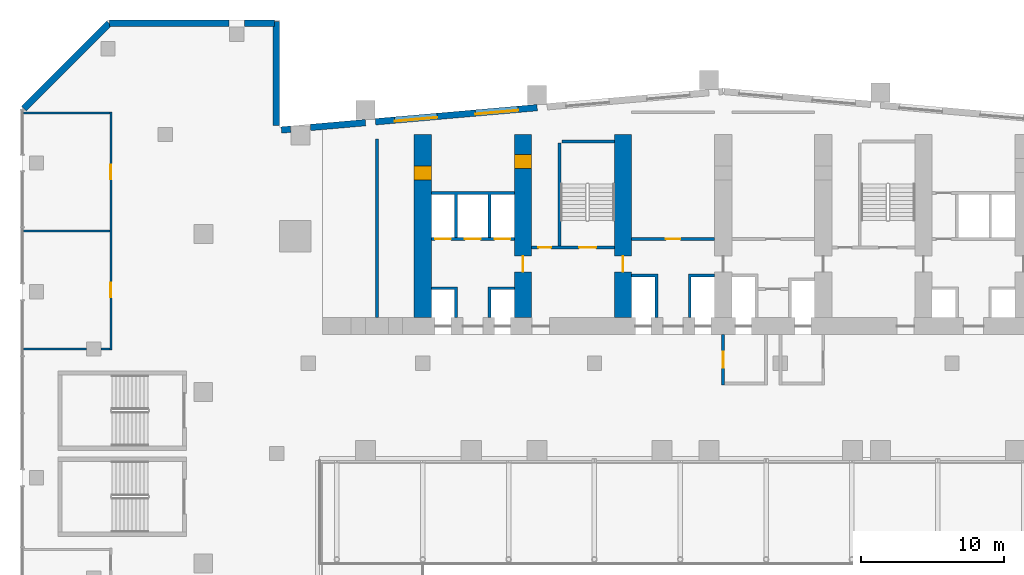
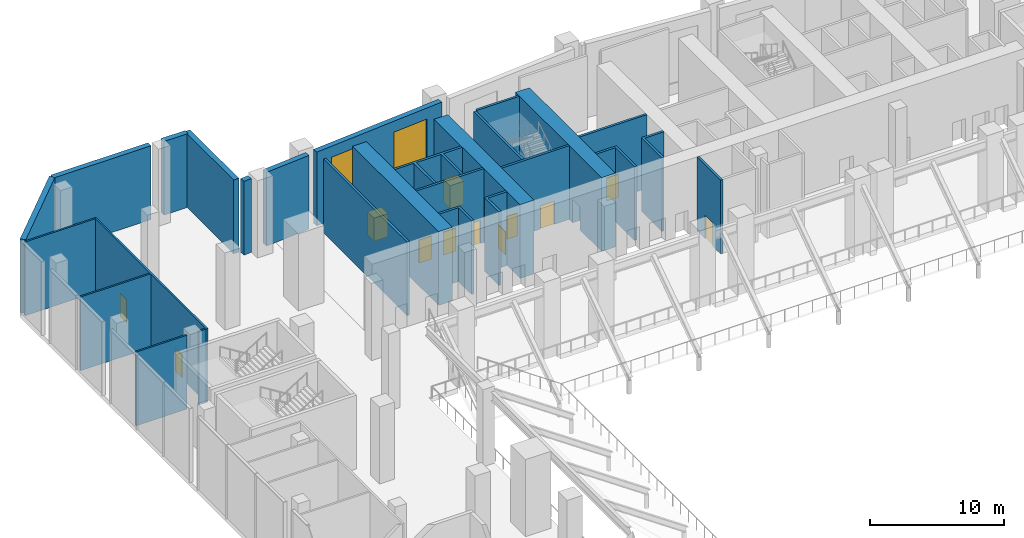
# One storey, part 24 of 41: 27 walls, 13 doors, 2 windows, 15 openings.
"""IFC4 building model written with IfcOpenShell, lengths in metres."""

from ifc_helpers import new_model, si_unit, direction, frame, frame_2d, origin, place, context, subcontext, project, spatial, polyline, rectangle, outline, extrude, material, layer, layer_set, type_object, element, fill, save


model = new_model("IFC4")

# Units and contexts
model_context = context("Model", 3, precision=1e-05, world=origin(), true_north=direction((0.0, 1.0)))
body_context = subcontext(model_context, "Body", "Model", "MODEL_VIEW")
ifc_project = project(units=[si_unit("LENGTHUNIT", "METRE"), si_unit("AREAUNIT", "SQUARE_METRE"), si_unit("VOLUMEUNIT", "CUBIC_METRE"), si_unit("PLANEANGLEUNIT", "RADIAN"), si_unit("MASSUNIT", "GRAM", prefix="KILO")], contexts=[model_context])

# Site, building, storey
site_placement = place(None, origin())
site = spatial("IfcSite", under=ifc_project, at=site_placement, CompositionType="ELEMENT")
building_placement = place(site_placement, origin())
building = spatial("IfcBuilding", under=site, at=building_placement, Name="Wharfspan Tower", CompositionType="ELEMENT")
storey_placement = place(building_placement, frame((0.0, 0.0, 8.0)))
storey = spatial("IfcBuildingStorey", under=building, at=storey_placement, Name="L01", CompositionType="ELEMENT", Elevation=8.0)

# Wall
ifc_material_1 = material(Name="Calcium silicate masonry", Category="masonry")
ifc_layer_1 = layer(ifc_material_1, 0.199951)
ifc_layer_set_1 = layer_set([ifc_layer_1], Name="Calcium silicate masonry")
wall_type_1 = type_object("IfcWallType", Name="Core room wall 200", PredefinedType="PARTITIONING", material=ifc_layer_set_1)
wall_1_placement = place(storey_placement, frame((12.800049, 35.199951, 0.0), z_axis=(0.0, 0.0, 1.0), x_axis=(0.0, 1.0, 0.0)))
element("IfcWall", 1, at=wall_1_placement, inside=storey, type_object=wall_type_1, Name="sw:L01:RM0", PredefinedType="PARTITIONING", context=body_context, shape_type="SweptSolid", body=[
    extrude(rectangle(XDim=12.467773, YDim=0.199951, at=frame_2d((6.233887, 0.0))), origin(), (0.0, 0.0, 1.0), 6.699951),
])

# Wall, opening, door
ifc_material_2 = material(Name="Concrete C70/85", Category="concrete")
ifc_layer_2 = layer(ifc_material_2, 1.199951)
ifc_layer_set_2 = layer_set([ifc_layer_2], Name="Concrete C70/85")
wall_type_2 = type_object("IfcWallType", Name="Core wall fallback 1.2", PredefinedType="SHEAR", material=ifc_layer_set_2)
wall_2_placement = place(storey_placement, frame((16.0, 35.199951, 0.0), z_axis=(0.0, 0.0, 1.0), x_axis=(0.0, 1.0, 0.0)))
wall_2 = element("IfcWall", 2, at=wall_2_placement, inside=storey, type_object=wall_type_2, Name="cw:L01:X1", PredefinedType="SHEAR", context=body_context, shape_type="SweptSolid", body=[
    extrude(rectangle(XDim=12.800049, YDim=1.199951, at=frame_2d((6.399902, 0.0))), origin(), (0.0, 0.0, 1.0), 6.699951),
])
opening_1_placement = place(wall_2_placement, frame((9.600098, 0.0, 0.0)))
opening_1 = element("IfcOpeningElement", 3, at=opening_1_placement, cuts=wall_2, Name="Opening CR01.1", PredefinedType="OPENING", context=body_context, shape_type="SweptSolid", body=[
    extrude(rectangle(XDim=1.0, YDim=2.100098, at=frame_2d((0.5, 1.050049))), frame((0.0, 0.609863, 0.0), z_axis=(0.0, -1.0, 0.0), x_axis=(1.0, 0.0, 0.0)), (0.0, 0.0, 1.0), 1.219971),
])
ifc_material_3 = material(Name="Steel door leaf", Category="steel")
door_type_1 = type_object("IfcDoorType", Name="Core room door 1000x2100", OperationType="SINGLE_SWING_LEFT", PredefinedType="DOOR", material=ifc_material_3)
door_1_placement = place(opening_1_placement, origin())
door_1 = element("IfcDoor", 4, at=door_1_placement, inside=storey, type_object=door_type_1, Name="xr:L01:1", OperationType="SINGLE_SWING_RIGHT", OverallHeight=2.100098, OverallWidth=1.0, PredefinedType="DOOR", context=body_context, shape_type="SweptSolid", body=[
    extrude(rectangle(XDim=1.0, YDim=2.100098, at=frame_2d((0.5, 1.050049))), frame((0.0, 0.599609, 0.0), z_axis=(0.0, -1.0, 0.0), x_axis=(1.0, 0.0, 0.0)), (0.0, 0.0, 1.0), 1.199463),
])
fill(opening_1, door_1)

# Wall, openings, doors
wall_3_placement = place(storey_placement, frame((23.0, 35.199951, 0.0), z_axis=(0.0, 0.0, 1.0), x_axis=(0.0, 1.0, 0.0)))
wall_3 = element("IfcWall", 5, at=wall_3_placement, inside=storey, type_object=wall_type_2, Name="cw:L01:X2", PredefinedType="SHEAR", context=body_context, shape_type="SweptSolid", body=[
    extrude(rectangle(XDim=12.800049, YDim=1.199951, at=frame_2d((6.399902, 0.0))), origin(), (0.0, 0.0, 1.0), 6.699951),
])
opening_2_placement = place(wall_3_placement, frame((10.413818, 0.0, 0.0)))
opening_2 = element("IfcOpeningElement", 6, at=opening_2_placement, cuts=wall_3, Name="Opening CD01.1X", PredefinedType="OPENING", context=body_context, shape_type="SweptSolid", body=[
    extrude(rectangle(XDim=1.0, YDim=2.100098, at=frame_2d((0.5, 1.050049))), frame((0.0, 0.609863, 0.0), z_axis=(0.0, -1.0, 0.0), x_axis=(1.0, 0.0, 0.0)), (0.0, 0.0, 1.0), 1.219971),
])
opening_3_placement = place(wall_3_placement, frame((3.199951, 0.0, 0.0)))
opening_3 = element("IfcOpeningElement", 7, at=opening_3_placement, cuts=wall_3, Name="Opening CC01.2", PredefinedType="OPENING", context=body_context, shape_type="SweptSolid", body=[
    extrude(rectangle(XDim=1.100098, YDim=2.100098, at=frame_2d((0.550049, 1.050049))), frame((0.0, 0.609863, 0.0), z_axis=(0.0, -1.0, 0.0), x_axis=(1.0, 0.0, 0.0)), (0.0, 0.0, 1.0), 1.219971),
])
door_type_2 = type_object("IfcDoorType", Name="Core corridor door 1100x2100", OperationType="SINGLE_SWING_LEFT", PredefinedType="DOOR", material=ifc_material_3)
door_2_placement = place(opening_3_placement, origin())
door_2 = element("IfcDoor", 8, at=door_2_placement, inside=storey, type_object=door_type_2, Name="xd:L01:2", OperationType="SINGLE_SWING_RIGHT", OverallHeight=2.100098, OverallWidth=1.100098, PredefinedType="DOOR", context=body_context, shape_type="SweptSolid", body=[
    extrude(rectangle(XDim=1.100098, YDim=2.100098, at=frame_2d((0.550049, 1.050049))), frame((0.0, 0.024902, 0.0), z_axis=(0.0, -1.0, 0.0), x_axis=(1.0, 0.0, 0.0)), (0.0, 0.0, 1.0), 0.050049),
])
fill(opening_3, door_2)
door_3_placement = place(opening_2_placement, origin())
door_3 = element("IfcDoor", 9, at=door_3_placement, inside=storey, type_object=door_type_1, Name="d:L01:1:sx", OperationType="SINGLE_SWING_LEFT", OverallHeight=2.100098, OverallWidth=1.0, PredefinedType="DOOR", context=body_context, shape_type="SweptSolid", body=[
    extrude(rectangle(XDim=1.0, YDim=2.100098, at=frame_2d((0.5, 1.050049))), frame((0.0, 0.599609, 0.0), z_axis=(0.0, -1.0, 0.0), x_axis=(1.0, 0.0, 0.0)), (0.0, 0.0, 1.0), 1.199463),
])
fill(opening_2, door_3)

# Wall, opening, door
wall_4_placement = place(storey_placement, frame((30.0, 35.199951, 0.0), z_axis=(0.0, 0.0, 1.0), x_axis=(0.0, 1.0, 0.0)))
wall_4 = element("IfcWall", 10, at=wall_4_placement, inside=storey, type_object=wall_type_2, Name="cw:L01:X3", PredefinedType="SHEAR", context=body_context, shape_type="SweptSolid", body=[
    extrude(rectangle(XDim=12.800049, YDim=1.199951, at=frame_2d((6.399902, 0.0))), origin(), (0.0, 0.0, 1.0), 6.699951),
])
opening_4_placement = place(wall_4_placement, frame((3.199951, 0.0, 0.0)))
opening_4 = element("IfcOpeningElement", 11, at=opening_4_placement, cuts=wall_4, Name="Opening CC01.3", PredefinedType="OPENING", context=body_context, shape_type="SweptSolid", body=[
    extrude(rectangle(XDim=1.100098, YDim=2.100098, at=frame_2d((0.550049, 1.050049))), frame((0.0, 0.609863, 0.0), z_axis=(0.0, -1.0, 0.0), x_axis=(1.0, 0.0, 0.0)), (0.0, 0.0, 1.0), 1.219971),
])
door_4_placement = place(opening_4_placement, origin())
door_4 = element("IfcDoor", 12, at=door_4_placement, inside=storey, type_object=door_type_2, Name="xd:L01:3", OperationType="SINGLE_SWING_LEFT", OverallHeight=2.100098, OverallWidth=1.100098, PredefinedType="DOOR", context=body_context, shape_type="SweptSolid", body=[
    extrude(rectangle(XDim=1.100098, YDim=2.100098, at=frame_2d((0.550049, 1.050049))), frame((0.0, 0.024902, 0.0), z_axis=(0.0, -1.0, 0.0), x_axis=(1.0, 0.0, 0.0)), (0.0, 0.0, 1.0), 0.050049),
])
fill(opening_4, door_4)

# Wall, openings, doors
ifc_material_4 = material(Name="Concrete C30/37", Category="concrete")
ifc_layer_3 = layer(ifc_material_4, 0.199951)
ifc_layer_set_3 = layer_set([ifc_layer_3], Name="Concrete C30/37")
wall_type_3 = type_object("IfcWallType", Name="Lift shaft wall 200", PredefinedType="PARTITIONING", material=ifc_layer_set_3)
wall_5_placement = place(storey_placement, frame((16.600098, 40.699951, 0.0), z_axis=(0.0, 0.0, 1.0), x_axis=(1.0, 0.0, 0.0)))
wall_5 = element("IfcWall", 13, at=wall_5_placement, inside=storey, type_object=wall_type_3, Name="sw:L01:RF1", PredefinedType="PARTITIONING", context=body_context, shape_type="SweptSolid", body=[
    extrude(rectangle(XDim=5.799805, YDim=0.199951, at=frame_2d((2.899902, 0.0))), origin(), (0.0, 0.0, 1.0), 6.699951),
])
opening_5_placement = place(wall_5_placement, frame((0.266602, 0.0, 0.0)))
opening_5 = element("IfcOpeningElement", 14, at=opening_5_placement, cuts=wall_5, Name="Opening LD.LA3.L01", PredefinedType="OPENING", context=body_context, shape_type="SweptSolid", body=[
    extrude(rectangle(XDim=1.100098, YDim=2.100098, at=frame_2d((0.550049, 1.050049))), frame((0.0, 0.109863, 0.0), z_axis=(0.0, -1.0, 0.0), x_axis=(1.0, 0.0, 0.0)), (0.0, 0.0, 1.0), 0.219971),
])
opening_6_placement = place(wall_5_placement, frame((2.350098, 0.0, 0.0)))
opening_6 = element("IfcOpeningElement", 15, at=opening_6_placement, cuts=wall_5, Name="Opening LD.LA4.L01", PredefinedType="OPENING", context=body_context, shape_type="SweptSolid", body=[
    extrude(rectangle(XDim=1.100098, YDim=2.100098, at=frame_2d((0.550049, 1.050049))), frame((0.0, 0.109863, 0.0), z_axis=(0.0, -1.0, 0.0), x_axis=(1.0, 0.0, 0.0)), (0.0, 0.0, 1.0), 0.219971),
])
opening_7_placement = place(wall_5_placement, frame((4.43335, 0.0, 0.0)))
opening_7 = element("IfcOpeningElement", 16, at=opening_7_placement, cuts=wall_5, Name="Opening LD.LA5.L01", PredefinedType="OPENING", context=body_context, shape_type="SweptSolid", body=[
    extrude(rectangle(XDim=1.100098, YDim=2.100098, at=frame_2d((0.550049, 1.050049))), frame((0.0, 0.109863, 0.0), z_axis=(0.0, -1.0, 0.0), x_axis=(1.0, 0.0, 0.0)), (0.0, 0.0, 1.0), 0.219971),
])
ifc_material_5 = material(Name="Stainless steel", Category="steel")
door_type_3 = type_object("IfcDoorType", Name="Lift landing door 1100x2100", OperationType="DOUBLE_DOOR_SLIDING", PredefinedType="DOOR", material=ifc_material_5)
door_5_placement = place(opening_5_placement, origin())
door_5 = element("IfcDoor", 17, at=door_5_placement, inside=storey, type_object=door_type_3, Name="Landing door LA3 L01", OperationType="DOUBLE_DOOR_SLIDING", OverallHeight=2.100098, OverallWidth=1.100098, PredefinedType="DOOR", context=body_context, shape_type="SweptSolid", body=[
    extrude(rectangle(XDim=1.100098, YDim=2.100098, at=frame_2d((0.550049, 1.050049))), frame((0.0, 0.024902, 0.0), z_axis=(0.0, -1.0, 0.0), x_axis=(1.0, 0.0, 0.0)), (0.0, 0.0, 1.0), 0.050049),
])
fill(opening_5, door_5)
door_6_placement = place(opening_6_placement, origin())
door_6 = element("IfcDoor", 18, at=door_6_placement, inside=storey, type_object=door_type_3, Name="Landing door LA4 L01", OperationType="DOUBLE_DOOR_SLIDING", OverallHeight=2.100098, OverallWidth=1.100098, PredefinedType="DOOR", context=body_context, shape_type="SweptSolid", body=[
    extrude(rectangle(XDim=1.100098, YDim=2.100098, at=frame_2d((0.550049, 1.050049))), frame((0.0, 0.024902, 0.0), z_axis=(0.0, -1.0, 0.0), x_axis=(1.0, 0.0, 0.0)), (0.0, 0.0, 1.0), 0.050049),
])
fill(opening_6, door_6)
door_7_placement = place(opening_7_placement, origin())
door_7 = element("IfcDoor", 19, at=door_7_placement, inside=storey, type_object=door_type_3, Name="Landing door LA5 L01", OperationType="DOUBLE_DOOR_SLIDING", OverallHeight=2.100098, OverallWidth=1.100098, PredefinedType="DOOR", context=body_context, shape_type="SweptSolid", body=[
    extrude(rectangle(XDim=1.100098, YDim=2.100098, at=frame_2d((0.550049, 1.050049))), frame((0.0, 0.024902, 0.0), z_axis=(0.0, -1.0, 0.0), x_axis=(1.0, 0.0, 0.0)), (0.0, 0.0, 1.0), 0.050049),
])
fill(opening_7, door_7)

# Walls
wall_6_placement = place(storey_placement, frame((0.0, 0.0, -0.000244)))
element("IfcWall", 20, at=wall_6_placement, inside=storey, type_object=wall_type_3, Name="sw:L01:FM1.0", PredefinedType="PARTITIONING", context=body_context, shape_type="SweptSolid", body=[
    extrude(outline(polyline([(18.233398, 37.149902), (16.600098, 37.149902), (16.600098, 37.350098), (18.233398, 37.350098), (18.43335, 37.350098), (18.43335, 35.199951), (18.233398, 35.199951), (18.233398, 37.149902)])), origin(), (0.0, 0.0, 1.0), 6.700195),
])
wall_7_placement = place(storey_placement, frame((0.0, 0.0, -0.000244)))
element("IfcWall", 21, at=wall_7_placement, inside=storey, type_object=wall_type_3, Name="sw:L01:FM1.1", PredefinedType="PARTITIONING", context=body_context, shape_type="SweptSolid", body=[
    extrude(outline(polyline([(20.56665, 37.350098), (20.766602, 37.350098), (22.399902, 37.350098), (22.399902, 37.149902), (20.766602, 37.149902), (20.766602, 35.199951), (20.56665, 35.199951), (20.56665, 37.350098)])), origin(), (0.0, 0.0, 1.0), 6.700195),
])
wall_8_placement = place(storey_placement, frame((0.0, 0.0, -0.000244)))
element("IfcWall", 22, at=wall_8_placement, inside=storey, type_object=wall_type_3, Name="sw:L01:RM1.0", PredefinedType="PARTITIONING", context=body_context, shape_type="SweptSolid", body=[
    extrude(outline(polyline([(18.43335, 40.800049), (18.233398, 40.800049), (18.233398, 43.800049), (16.600098, 43.800049), (16.600098, 44.0), (22.399902, 44.0), (22.399902, 43.800049), (20.766602, 43.800049), (20.766602, 40.800049), (20.56665, 40.800049), (20.56665, 43.800049), (18.43335, 43.800049), (18.43335, 40.800049)])), origin(), (0.0, 0.0, 1.0), 6.700195),
])

# Wall, opening, door
wall_9_placement = place(storey_placement, frame((30.600098, 40.699951, 0.0), z_axis=(0.0, 0.0, 1.0), x_axis=(1.0, 0.0, 0.0)))
wall_9 = element("IfcWall", 23, at=wall_9_placement, inside=storey, type_object=wall_type_3, Name="sw:L01:RF3", PredefinedType="PARTITIONING", context=body_context, shape_type="SweptSolid", body=[
    extrude(rectangle(XDim=5.799805, YDim=0.199951, at=frame_2d((2.899902, 0.0))), origin(), (0.0, 0.0, 1.0), 6.699951),
])
opening_8_placement = place(wall_9_placement, frame((2.399902, 0.0, 0.0)))
opening_8 = element("IfcOpeningElement", 24, at=opening_8_placement, cuts=wall_9, Name="Opening CD01.3S", PredefinedType="OPENING", context=body_context, shape_type="SweptSolid", body=[
    extrude(rectangle(XDim=1.0, YDim=2.100098, at=frame_2d((0.5, 1.050049))), frame((0.0, 0.109863, 0.0), z_axis=(0.0, -1.0, 0.0), x_axis=(1.0, 0.0, 0.0)), (0.0, 0.0, 1.0), 0.219971),
])
door_8_placement = place(opening_8_placement, origin())
door_8 = element("IfcDoor", 25, at=door_8_placement, inside=storey, type_object=door_type_1, Name="d:L01:3:sf", OperationType="SINGLE_SWING_LEFT", OverallHeight=2.100098, OverallWidth=1.0, PredefinedType="DOOR", context=body_context, shape_type="SweptSolid", body=[
    extrude(rectangle(XDim=1.0, YDim=2.100098, at=frame_2d((0.5, 1.050049))), frame((0.0, 0.024902, 0.0), z_axis=(0.0, -1.0, 0.0), x_axis=(1.0, 0.0, 0.0)), (0.0, 0.0, 1.0), 0.050049),
])
fill(opening_8, door_8)

# Walls
wall_10_placement = place(storey_placement, frame((0.0, 0.0, -0.000244)))
element("IfcWall", 26, at=wall_10_placement, inside=storey, type_object=wall_type_3, Name="sw:L01:FM3.0", PredefinedType="PARTITIONING", context=body_context, shape_type="SweptSolid", body=[
    extrude(outline(polyline([(32.233398, 38.050049), (30.600098, 38.050049), (30.600098, 38.25), (32.233398, 38.25), (32.43335, 38.25), (32.43335, 35.199951), (32.233398, 35.199951), (32.233398, 38.050049)])), origin(), (0.0, 0.0, 1.0), 6.700195),
])
wall_11_placement = place(storey_placement, frame((0.0, 0.0, -0.000244)))
element("IfcWall", 27, at=wall_11_placement, inside=storey, type_object=wall_type_3, Name="sw:L01:FM3.1", PredefinedType="PARTITIONING", context=body_context, shape_type="SweptSolid", body=[
    extrude(outline(polyline([(34.56665, 38.25), (34.766602, 38.25), (36.399902, 38.25), (36.399902, 38.050049), (34.766602, 38.050049), (34.766602, 35.199951), (34.56665, 35.199951), (34.56665, 38.25)])), origin(), (0.0, 0.0, 1.0), 6.700195),
])

# Wall, opening, door
ifc_layer_4 = layer(ifc_material_4, 0.199951)
ifc_layer_set_4 = layer_set([ifc_layer_4], Name="Concrete C30/37")
wall_type_4 = type_object("IfcWallType", Name="Lobby wall 200", PredefinedType="PARTITIONING", material=ifc_layer_set_4)
wall_12_placement = place(storey_placement, frame((37.0, 30.5, 0.0), z_axis=(0.0, 0.0, 1.0), x_axis=(0.0, 1.0, 0.0)))
wall_12 = element("IfcWall", 28, at=wall_12_placement, inside=storey, type_object=wall_type_4, Name="sw:L01:FLFF1W", PredefinedType="PARTITIONING", context=body_context, shape_type="SweptSolid", body=[
    extrude(rectangle(XDim=3.5, YDim=0.199951, at=frame_2d((1.75, 0.0))), origin(), (0.0, 0.0, 1.0), 6.699951),
])
opening_9_placement = place(wall_12_placement, frame((1.199951, 0.0, 0.0)))
opening_9 = element("IfcOpeningElement", 29, at=opening_9_placement, cuts=wall_12, Name="Opening FL.FF1.L01", PredefinedType="OPENING", context=body_context, shape_type="SweptSolid", body=[
    extrude(rectangle(XDim=1.100098, YDim=2.100098, at=frame_2d((0.550049, 1.050049))), frame((0.0, 0.109863, 0.0), z_axis=(0.0, -1.0, 0.0), x_axis=(1.0, 0.0, 0.0)), (0.0, 0.0, 1.0), 0.219971),
])
door_type_4 = type_object("IfcDoorType", Name="Firefighting lobby door 1100x2100", OperationType="SINGLE_SWING_LEFT", PredefinedType="DOOR", material=ifc_material_3)
door_9_placement = place(opening_9_placement, origin())
door_9 = element("IfcDoor", 30, at=door_9_placement, inside=storey, type_object=door_type_4, Name="fd:L01:FF1", OperationType="SINGLE_SWING_LEFT", OverallHeight=2.100098, OverallWidth=1.100098, PredefinedType="DOOR", context=body_context, shape_type="SweptSolid", body=[
    extrude(rectangle(XDim=1.100098, YDim=2.100098, at=frame_2d((0.550049, 1.050049))), frame((0.0, 0.024902, 0.0), z_axis=(0.0, -1.0, 0.0), x_axis=(1.0, 0.0, 0.0)), (0.0, 0.0, 1.0), 0.050049),
])
fill(opening_9, door_9)

# Wall, openings, doors
ifc_layer_5 = layer(ifc_material_1, 0.149902)
ifc_layer_set_5 = layer_set([ifc_layer_5], Name="Calcium silicate masonry")
wall_type_5 = type_object("IfcWallType", Name="Podium room wall 150", PredefinedType="PARTITIONING", material=ifc_layer_set_5)
wall_13_placement = place(storey_placement, frame((-5.800049, 32.925049, 0.0), z_axis=(0.0, 0.0, 1.0), x_axis=(0.0, 1.0, 0.0)))
wall_13 = element("IfcWall", 31, at=wall_13_placement, inside=storey, type_object=wall_type_5, Name="iw:L01:5", PredefinedType="PARTITIONING", context=body_context, shape_type="SweptSolid", body=[
    extrude(rectangle(XDim=16.649902, YDim=0.149902, at=frame_2d((8.324951, 0.0))), origin(), (0.0, 0.0, 1.0), 6.699951),
])
opening_10_placement = place(wall_13_placement, frame((3.699951, 0.0, 0.0)))
opening_10 = element("IfcOpeningElement", 32, at=opening_10_placement, cuts=wall_13, Name="Opening PD01.17", PredefinedType="OPENING", context=body_context, shape_type="SweptSolid", body=[
    extrude(rectangle(XDim=1.0, YDim=2.100098, at=frame_2d((0.5, 1.050049))), frame((0.0, 0.084961, 0.0), z_axis=(0.0, -1.0, 0.0), x_axis=(1.0, 0.0, 0.0)), (0.0, 0.0, 1.0), 0.169922),
])
opening_11_placement = place(wall_13_placement, frame((11.949951, 0.0, 0.0)))
opening_11 = element("IfcOpeningElement", 33, at=opening_11_placement, cuts=wall_13, Name="Opening PD01.18", PredefinedType="OPENING", context=body_context, shape_type="SweptSolid", body=[
    extrude(rectangle(XDim=1.0, YDim=2.100098, at=frame_2d((0.5, 1.050049))), frame((0.0, 0.084961, 0.0), z_axis=(0.0, -1.0, 0.0), x_axis=(1.0, 0.0, 0.0)), (0.0, 0.0, 1.0), 0.169922),
])
door_type_5 = type_object("IfcDoorType", Name="Podium room door 1000x2100", OperationType="SINGLE_SWING_LEFT", PredefinedType="DOOR", material=ifc_material_3)
door_10_placement = place(opening_10_placement, origin())
door_10 = element("IfcDoor", 34, at=door_10_placement, inside=storey, type_object=door_type_5, Name="id:L01:17", OperationType="SINGLE_SWING_RIGHT", OverallHeight=2.100098, OverallWidth=1.0, PredefinedType="DOOR", context=body_context, shape_type="SweptSolid", body=[
    extrude(rectangle(XDim=1.0, YDim=2.100098, at=frame_2d((0.5, 1.050049))), frame((0.0, 0.024902, 0.0), z_axis=(0.0, -1.0, 0.0), x_axis=(1.0, 0.0, 0.0)), (0.0, 0.0, 1.0), 0.050049),
])
fill(opening_10, door_10)
door_11_placement = place(opening_11_placement, origin())
door_11 = element("IfcDoor", 35, at=door_11_placement, inside=storey, type_object=door_type_5, Name="id:L01:18", OperationType="SINGLE_SWING_LEFT", OverallHeight=2.100098, OverallWidth=1.0, PredefinedType="DOOR", context=body_context, shape_type="SweptSolid", body=[
    extrude(rectangle(XDim=1.0, YDim=2.100098, at=frame_2d((0.5, 1.050049))), frame((0.0, 0.024902, 0.0), z_axis=(0.0, -1.0, 0.0), x_axis=(1.0, 0.0, 0.0)), (0.0, 0.0, 1.0), 0.050049),
])
fill(opening_11, door_11)

# Walls
wall_14_placement = place(storey_placement, frame((-11.89502, 33.0, 0.0), z_axis=(0.0, 0.0, 1.0), x_axis=(1.0, 0.0, 0.0)))
element("IfcWall", 36, at=wall_14_placement, inside=storey, type_object=wall_type_5, Name="iw:L01:28", PredefinedType="PARTITIONING", context=body_context, shape_type="SweptSolid", body=[
    extrude(rectangle(XDim=4.38501, YDim=0.149902, at=frame_2d((2.192383, 0.0))), origin(), (0.0, 0.0, 1.0), 6.699951),
])
wall_15_placement = place(storey_placement, frame((-6.48999, 33.0, 0.0), z_axis=(0.0, 0.0, 1.0), x_axis=(1.0, 0.0, 0.0)))
element("IfcWall", 37, at=wall_15_placement, inside=storey, type_object=wall_type_5, Name="iw:L01:29", PredefinedType="PARTITIONING", context=body_context, shape_type="SweptSolid", body=[
    extrude(rectangle(XDim=0.61499, YDim=0.149902, at=frame_2d((0.307617, 0.0))), origin(), (0.0, 0.0, 1.0), 6.699951),
])
for number, where, z_axis, x_axis, name in (
    (38, (-11.89502, 41.25, 0.0), (0.0, 0.0, 1.0), (1.0, 0.0, 0.0), "iw:L01:30"),
    (39, (-11.89502, 49.5, 0.0), (0.0, 0.0, 1.0), (1.0, 0.0, 0.0), "iw:L01:31"),
):
    element("IfcWall", number, at=place(storey_placement, frame(where, z_axis=z_axis, x_axis=x_axis)), inside=storey, type_object=wall_type_5, Name=name, PredefinedType="PARTITIONING", context=body_context, shape_type="SweptSolid", body=[
        extrude(rectangle(XDim=6.02002, YDim=0.149902, at=frame_2d((3.01001, 0.0))), origin(), (0.0, 0.0, 1.0), 6.699951),
    ])

# Wall, openings, doors
ifc_material_6 = material(Name="Concrete C40/50", Category="concrete")
ifc_layer_6 = layer(ifc_material_6, 0.199951)
ifc_layer_set_6 = layer_set([ifc_layer_6], Name="Concrete C40/50")
wall_type_6 = type_object("IfcWallType", Name="Stair shaft wall 200", PredefinedType="SHEAR", material=ifc_layer_set_6)
wall_16_placement = place(storey_placement, frame((23.600098, 40.100098, 0.0), z_axis=(0.0, 0.0, 1.0), x_axis=(1.0, 0.0, 0.0)))
wall_16 = element("IfcWall", 40, at=wall_16_placement, inside=storey, type_object=wall_type_6, Name="ST1 stair enclosure wall L01", PredefinedType="SHEAR", context=body_context, shape_type="SweptSolid", body=[
    extrude(rectangle(XDim=5.799805, YDim=0.199951, at=frame_2d((2.899902, 0.0))), origin(), (0.0, 0.0, 1.0), 6.699951),
])
opening_12_placement = place(wall_16_placement, frame((3.324951, 0.0, 0.0)))
opening_12 = element("IfcOpeningElement", 41, at=opening_12_placement, cuts=wall_16, Name="Opening SD2.L01", PredefinedType="OPENING", context=body_context, shape_type="SweptSolid", body=[
    extrude(rectangle(XDim=1.199951, YDim=2.100098, at=frame_2d((0.600098, 1.050049))), frame((0.0, 0.109863, 0.0), z_axis=(0.0, -1.0, 0.0), x_axis=(1.0, 0.0, 0.0)), (0.0, 0.0, 1.0), 0.219971),
])
opening_13_placement = place(wall_16_placement, frame((0.475098, 0.0, 0.0)))
opening_13 = element("IfcOpeningElement", 42, at=opening_13_placement, cuts=wall_16, Name="Opening CD01.2R", PredefinedType="OPENING", context=body_context, shape_type="SweptSolid", body=[
    extrude(rectangle(XDim=0.899902, YDim=2.100098, at=frame_2d((0.449951, 1.050049))), frame((0.0, 0.109863, 0.0), z_axis=(0.0, -1.0, 0.0), x_axis=(1.0, 0.0, 0.0)), (0.0, 0.0, 1.0), 0.219971),
])
door_12_placement = place(opening_13_placement, origin())
door_12 = element("IfcDoor", 43, at=door_12_placement, inside=storey, type_object=door_type_1, Name="rk:L01:2", OperationType="SINGLE_SWING_LEFT", OverallHeight=2.100098, OverallWidth=0.899902, PredefinedType="DOOR", context=body_context, shape_type="SweptSolid", body=[
    extrude(rectangle(XDim=0.899902, YDim=2.100098, at=frame_2d((0.449951, 1.050049))), frame((0.0, 0.024902, 0.0), z_axis=(0.0, -1.0, 0.0), x_axis=(1.0, 0.0, 0.0)), (0.0, 0.0, 1.0), 0.050049),
])
fill(opening_13, door_12)
door_type_6 = type_object("IfcDoorType", Name="Stair door 1200x2100", OperationType="SINGLE_SWING_LEFT", PredefinedType="DOOR", material=ifc_material_3)
door_13_placement = place(opening_12_placement, origin())
door_13 = element("IfcDoor", 44, at=door_13_placement, inside=storey, type_object=door_type_6, Name="sd:L01:2", OperationType="SINGLE_SWING_RIGHT", OverallHeight=2.100098, OverallWidth=1.199951, PredefinedType="DOOR", context=body_context, shape_type="SweptSolid", body=[
    extrude(rectangle(XDim=1.199951, YDim=2.100098, at=frame_2d((0.600098, 1.050049))), frame((0.0, 0.024902, 0.0), z_axis=(0.0, -1.0, 0.0), x_axis=(1.0, 0.0, 0.0)), (0.0, 0.0, 1.0), 0.050049),
])
fill(opening_12, door_13)

# Walls
wall_17_placement = place(storey_placement, frame((25.550049, 40.199951, 0.0), z_axis=(0.0, 0.0, 1.0), x_axis=(0.0, 1.0, 0.0)))
element("IfcWall", 45, at=wall_17_placement, inside=storey, type_object=wall_type_6, Name="ST1 stair enclosure wall L01", PredefinedType="SHEAR", context=body_context, shape_type="SweptSolid", body=[
    extrude(rectangle(XDim=7.199951, YDim=0.199951, at=frame_2d((3.600098, 0.0))), origin(), (0.0, 0.0, 1.0), 6.699951),
])
wall_18_placement = place(storey_placement, frame((25.75, 47.5, 0.0), z_axis=(0.0, 0.0, 1.0), x_axis=(1.0, 0.0, 0.0)))
element("IfcWall", 46, at=wall_18_placement, inside=storey, type_object=wall_type_6, Name="ST1 stair enclosure wall L01", PredefinedType="SHEAR", context=body_context, shape_type="SweptSolid", body=[
    extrude(rectangle(XDim=3.649902, YDim=0.199951, at=frame_2d((1.824951, 0.0))), origin(), (0.0, 0.0, 1.0), 6.699951),
])

# Wall, openings, windows
ifc_layer_7 = layer(ifc_material_6, 0.449951)
ifc_layer_set_7 = layer_set([ifc_layer_7], Name="Concrete C40/50")
wall_type_7 = type_object("IfcWallType", Name="WALL BOARD-MARKED CONCRETE 450", PredefinedType="SOLIDWALL", material=ifc_layer_set_7)
wall_19_placement = place(storey_placement, frame((23.999756, 49.873779, 0.0), z_axis=(0.0, 0.0, 1.0), x_axis=(-0.996195, -0.087145, 0.0)))
wall_19 = element("IfcWall", 47, at=wall_19_placement, inside=storey, type_object=wall_type_7, Name="Podium wall PF8", PredefinedType="SOLIDWALL", context=body_context, shape_type="SweptSolid", body=[
    extrude(rectangle(XDim=11.343506, YDim=0.449951, at=frame_2d((5.671875, 0.0))), origin(), (0.0, 0.0, 1.0), 6.699951),
])
opening_14_placement = place(wall_19_placement, frame((1.335938, 0.0, 1.0)))
opening_14 = element("IfcOpeningElement", 48, at=opening_14_placement, cuts=wall_19, Name="Opening EWN1", PredefinedType="OPENING", context=body_context, shape_type="SweptSolid", body=[
    extrude(rectangle(XDim=3.0, YDim=4.699951, at=frame_2d((1.5, 2.350098))), frame((0.0, 0.234863, 0.0), z_axis=(0.0, -1.0, 0.0), x_axis=(1.0, 0.0, 0.0)), (0.0, 0.0, 1.0), 0.469971),
])
opening_15_placement = place(wall_19_placement, frame((7.007568, 0.0, 1.0)))
opening_15 = element("IfcOpeningElement", 49, at=opening_15_placement, cuts=wall_19, Name="Opening EWN1", PredefinedType="OPENING", context=body_context, shape_type="SweptSolid", body=[
    extrude(rectangle(XDim=3.0, YDim=4.699951, at=frame_2d((1.5, 2.350098))), frame((0.0, 0.234863, 0.0), z_axis=(0.0, -1.0, 0.0), x_axis=(1.0, 0.0, 0.0)), (0.0, 0.0, 1.0), 0.469971),
])
ifc_material_7 = material(Name="Aluminium 6063-T6", Category="aluminium")
window_type = type_object("IfcWindowType", Name="WINDOW 3000x4700", PartitioningType="SINGLE_PANEL", PredefinedType="WINDOW", material=ifc_material_7)
window_1_placement = place(opening_14_placement, origin())
window_1 = element("IfcWindow", 50, at=window_1_placement, inside=storey, type_object=window_type, Name="Podium window", OverallHeight=4.699951, OverallWidth=3.0, PartitioningType="SINGLE_PANEL", PredefinedType="WINDOW", context=body_context, shape_type="SweptSolid", body=[
    extrude(rectangle(XDim=3.0, YDim=4.699951, at=frame_2d((1.5, 2.350098))), frame((0.0, 0.10498, 0.0), z_axis=(0.0, -1.0, 0.0), x_axis=(1.0, 0.0, 0.0)), (0.0, 0.0, 1.0), 0.060059),
])
fill(opening_14, window_1)
window_2_placement = place(opening_15_placement, origin())
window_2 = element("IfcWindow", 51, at=window_2_placement, inside=storey, type_object=window_type, Name="Podium window", OverallHeight=4.699951, OverallWidth=3.0, PartitioningType="SINGLE_PANEL", PredefinedType="WINDOW", context=body_context, shape_type="SweptSolid", body=[
    extrude(rectangle(XDim=3.0, YDim=4.699951, at=frame_2d((1.5, 2.350098))), frame((0.0, 0.10498, 0.0), z_axis=(0.0, -1.0, 0.0), x_axis=(1.0, 0.0, 0.0)), (0.0, 0.0, 1.0), 0.060059),
])
fill(opening_15, window_2)

# Walls
wall_20_placement = place(storey_placement, frame((11.999756, 48.823975, 0.0), z_axis=(0.0, 0.0, 1.0), x_axis=(-0.9962, -0.087124, 0.0)))
element("IfcWall", 52, at=wall_20_placement, inside=storey, type_object=wall_type_7, Name="Podium wall PF8", PredefinedType="SOLIDWALL", context=body_context, shape_type="SweptSolid", body=[
    extrude(rectangle(XDim=3.858643, YDim=0.449951, at=frame_2d((1.929199, 0.0))), origin(), (0.0, 0.0, 1.0), 6.699951),
])
wall_21_placement = place(storey_placement, frame((6.766846, 48.366211, 0.0), z_axis=(0.0, 0.0, 1.0), x_axis=(-0.996201, -0.087116, 0.0)))
element("IfcWall", 53, at=wall_21_placement, inside=storey, type_object=wall_type_7, Name="Podium wall PF8", PredefinedType="SOLIDWALL", context=body_context, shape_type="SweptSolid", body=[
    extrude(rectangle(XDim=0.650146, YDim=0.449951, at=frame_2d((0.325195, 0.0))), origin(), (0.0, 0.0, 1.0), 6.699951),
])
wall_22_placement = place(storey_placement, frame((5.774902, 48.625, 0.0), z_axis=(0.0, 0.0, 1.0), x_axis=(0.0, 1.0, 0.0)))
element("IfcWall", 54, at=wall_22_placement, inside=storey, type_object=wall_type_7, Name="Podium wall PF9", PredefinedType="SOLIDWALL", context=body_context, shape_type="SweptSolid", body=[
    extrude(rectangle(XDim=7.274902, YDim=0.449951, at=frame_2d((3.637451, 0.0))), origin(), (0.0, 0.0, 1.0), 6.699951),
])
wall_23_placement = place(storey_placement, frame((2.449951, 55.774902, 0.0), z_axis=(0.0, 0.0, 1.0), x_axis=(-1.0, 0.0, 0.0)))
element("IfcWall", 55, at=wall_23_placement, inside=storey, type_object=wall_type_7, Name="Podium wall PF10", PredefinedType="SOLIDWALL", context=body_context, shape_type="SweptSolid", body=[
    extrude(rectangle(XDim=8.349854, YDim=0.449951, at=frame_2d((4.174805, 0.0))), origin(), (0.0, 0.0, 1.0), 6.699951),
])
wall_24_placement = place(storey_placement, frame((5.639893, 55.774902, 0.0), z_axis=(0.0, 0.0, 1.0), x_axis=(-1.0, 0.0, 0.0)))
element("IfcWall", 56, at=wall_24_placement, inside=storey, type_object=wall_type_7, Name="Podium wall PF10", PredefinedType="SOLIDWALL", context=body_context, shape_type="SweptSolid", body=[
    extrude(rectangle(XDim=2.089844, YDim=0.449951, at=frame_2d((1.044922, 0.0))), origin(), (0.0, 0.0, 1.0), 6.699951),
])
wall_25_placement = place(storey_placement, frame((-5.911621, 55.770264, 0.0), z_axis=(0.0, 0.0, 1.0), x_axis=(-0.707092, -0.707121, 0.0)))
element("IfcWall", 57, at=wall_25_placement, inside=storey, type_object=wall_type_7, Name="Podium wall PF11", PredefinedType="SOLIDWALL", context=body_context, shape_type="SweptSolid", body=[
    extrude(rectangle(XDim=8.425293, YDim=0.449951, at=frame_2d((4.212646, 0.0))), origin(), (0.0, 0.0, 1.0), 6.699951),
])

save(model, "model.ifc")
